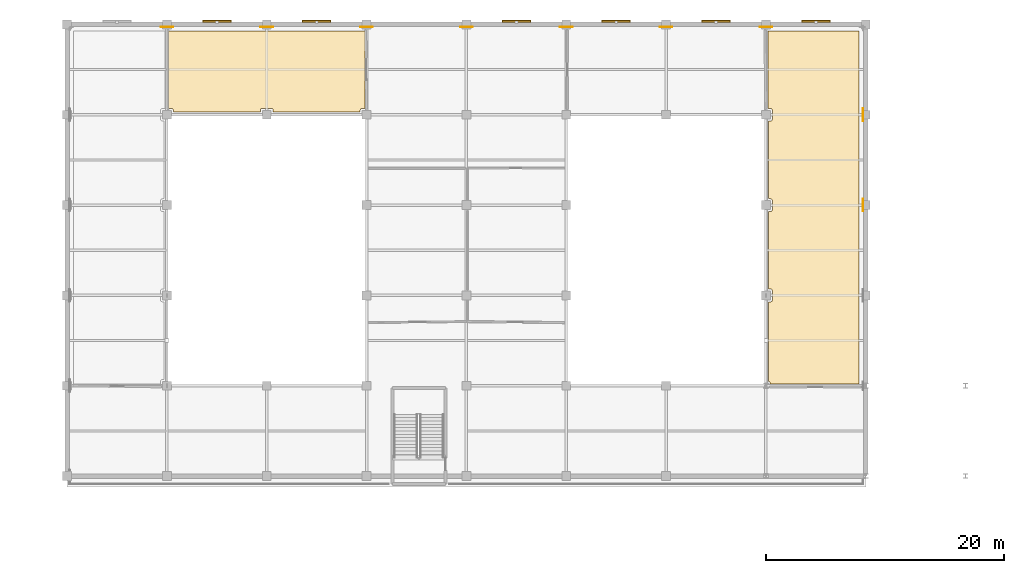
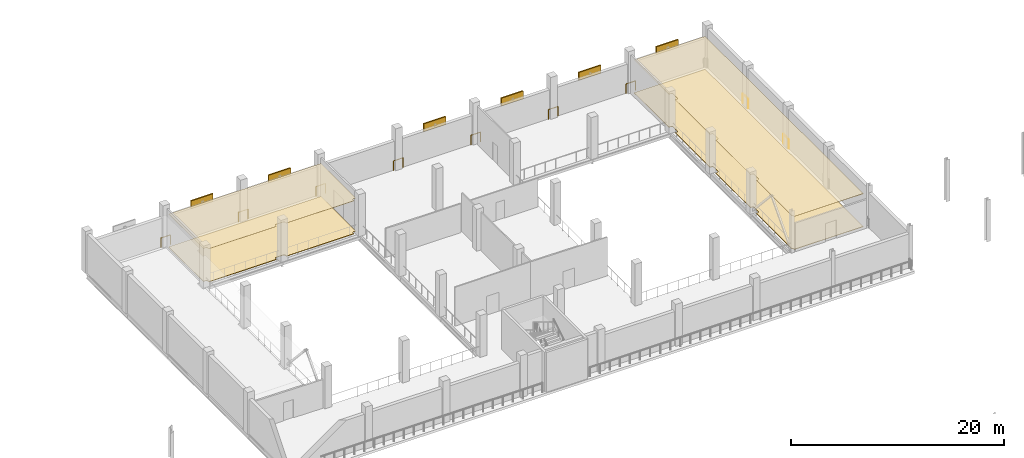
# One storey, part 48 of 51: 9 railings, 6 shading devices, 4 coverings.
"""IFC4 building model written with IfcOpenShell, lengths in metres."""

from ifc_helpers import new_model, si_unit, direction, frame, origin, origin_2d, place, context, subcontext, project, spatial, polyline, rectangle, circle, outline, extrude, material, layer, layer_set, type_object, element, save


model = new_model("IFC4")

# Units and contexts
model_context = context("Model", 3, precision=1e-05, world=origin(), true_north=direction((0.0, 1.0)))
body_context = subcontext(model_context, "Body", "Model", "MODEL_VIEW")
ifc_project = project(units=[si_unit("LENGTHUNIT", "METRE"), si_unit("AREAUNIT", "SQUARE_METRE"), si_unit("VOLUMEUNIT", "CUBIC_METRE"), si_unit("PLANEANGLEUNIT", "RADIAN"), si_unit("MASSUNIT", "GRAM", prefix="KILO")], contexts=[model_context])

# Site, building, storey
site_placement = place(None, origin())
site = spatial("IfcSite", under=ifc_project, at=site_placement, CompositionType="ELEMENT")
building_placement = place(site_placement, origin())
building = spatial("IfcBuilding", under=site, at=building_placement, Name="Zuvorla Pavilion Media Centre", CompositionType="ELEMENT")
storey_placement = place(building_placement, frame((0.0, 0.0, 4.800048828125)))
storey = spatial("IfcBuildingStorey", under=building, at=storey_placement, Name="L01", CompositionType="ELEMENT", Elevation=4.800048828125)

# Coverings
ifc_material_1 = material(Name="Perforated gypsum acoustic studio ceiling")
ifc_layer_1 = layer(ifc_material_1, 0.0400390625)
ifc_layer_set_1 = layer_set([ifc_layer_1], Name="Perforated gypsum acoustic studio ceiling")
covering_type_1 = type_object("IfcCoveringType", Name="COV-CLG-ACOUST", PredefinedType="CEILING", material=ifc_layer_set_1)
covering_1_placement = place(storey_placement, frame((0.0, 0.0, 3.780029296875)))
element("IfcCovering", 1, at=covering_1_placement, inside=storey, type_object=covering_type_1, Name="L01 acoustic ceiling 1", PredefinedType="CEILING", context=body_context, shape_type="SweptSolid", body=[
    extrude(outline(polyline([(91.85009765625, 112.93505859375), (91.614990234375, 112.93505859375), (91.600341796875, 112.934326171875), (91.585693359375, 112.93212890625), (91.571533203125, 112.928466796875), (91.5576171875, 112.923583984375), (91.544189453125, 112.917236328125), (91.53173828125, 112.90966796875), (91.519775390625, 112.90087890625), (91.5087890625, 112.89111328125), (91.4990234375, 112.880126953125), (91.490234375, 112.868408203125), (91.482666015625, 112.855712890625), (91.476318359375, 112.84228515625), (91.471435546875, 112.82861328125), (91.468017578125, 112.814208984375), (91.4658203125, 112.7998046875), (91.465087890625, 112.784912109375), (91.465087890625, 112.6298828125), (84.135009765625, 112.6298828125), (84.135009765625, 112.784912109375), (84.13427734375, 112.7998046875), (84.132080078125, 112.814208984375), (84.12841796875, 112.82861328125), (84.12353515625, 112.84228515625), (84.1171875, 112.855712890625), (84.109619140625, 112.868408203125), (84.10107421875, 112.880126953125), (84.091064453125, 112.89111328125), (84.080078125, 112.90087890625), (84.068359375, 112.90966796875), (84.0556640625, 112.917236328125), (84.04248046875, 112.923583984375), (84.028564453125, 112.928466796875), (84.014404296875, 112.93212890625), (83.999755859375, 112.934326171875), (83.985107421875, 112.93505859375), (83.215087890625, 112.93505859375), (83.2001953125, 112.934326171875), (83.185791015625, 112.93212890625), (83.17138671875, 112.928466796875), (83.15771484375, 112.923583984375), (83.144287109375, 112.917236328125), (83.131591796875, 112.90966796875), (83.119873046875, 112.90087890625), (83.10888671875, 112.89111328125), (83.09912109375, 112.880126953125), (83.09033203125, 112.868408203125), (83.082763671875, 112.855712890625), (83.076416015625, 112.84228515625), (83.071533203125, 112.82861328125), (83.06787109375, 112.814208984375), (83.065673828125, 112.7998046875), (83.06494140625, 112.784912109375), (83.06494140625, 112.6298828125), (75.735107421875, 112.6298828125), (75.735107421875, 112.784912109375), (75.734375, 112.7998046875), (75.732177734375, 112.814208984375), (75.728515625, 112.82861328125), (75.7236328125, 112.84228515625), (75.71728515625, 112.855712890625), (75.709716796875, 112.868408203125), (75.700927734375, 112.880126953125), (75.691162109375, 112.89111328125), (75.68017578125, 112.90087890625), (75.668212890625, 112.90966796875), (75.65576171875, 112.917236328125), (75.642333984375, 112.923583984375), (75.62841796875, 112.928466796875), (75.6142578125, 112.93212890625), (75.599609375, 112.934326171875), (75.5849609375, 112.93505859375), (75.35009765625, 112.93505859375), (75.35009765625, 119.449951171875), (91.85009765625, 119.449951171875), (91.85009765625, 112.93505859375)])), origin(), (0.0, 0.0, 1.0), 0.0400390625),
])
covering_2_placement = place(storey_placement, frame((0.0, 0.0, 3.780029296875)))
element("IfcCovering", 2, at=covering_2_placement, inside=storey, type_object=covering_type_1, Name="L01 acoustic ceiling 3", PredefinedType="CEILING", context=body_context, shape_type="SweptSolid", body=[
    extrude(outline(polyline([(125.830078125, 89.955078125), (125.830078125, 96.6650390625), (125.985107421875, 96.6650390625), (125.999755859375, 96.665771484375), (126.014404296875, 96.66796875), (126.028564453125, 96.67138671875), (126.04248046875, 96.676513671875), (126.0556640625, 96.6826171875), (126.068359375, 96.690185546875), (126.080078125, 96.698974609375), (126.091064453125, 96.708984375), (126.10107421875, 96.7197265625), (126.109619140625, 96.731689453125), (126.1171875, 96.744384765625), (126.12353515625, 96.757568359375), (126.12841796875, 96.771484375), (126.132080078125, 96.78564453125), (126.13427734375, 96.80029296875), (126.135009765625, 96.81494140625), (126.135009765625, 97.5849609375), (126.13427734375, 97.599609375), (126.132080078125, 97.6142578125), (126.12841796875, 97.62841796875), (126.12353515625, 97.642333984375), (126.1171875, 97.65576171875), (126.109619140625, 97.668212890625), (126.10107421875, 97.68017578125), (126.091064453125, 97.691162109375), (126.080078125, 97.700927734375), (126.068359375, 97.709716796875), (126.0556640625, 97.71728515625), (126.04248046875, 97.7236328125), (126.028564453125, 97.728515625), (126.014404296875, 97.732177734375), (125.999755859375, 97.734375), (125.985107421875, 97.735107421875), (125.830078125, 97.735107421875), (125.830078125, 104.264892578125), (125.985107421875, 104.264892578125), (125.999755859375, 104.265625), (126.014404296875, 104.267822265625), (126.028564453125, 104.271484375), (126.04248046875, 104.2763671875), (126.0556640625, 104.28271484375), (126.068359375, 104.290283203125), (126.080078125, 104.299072265625), (126.091064453125, 104.308837890625), (126.10107421875, 104.31982421875), (126.109619140625, 104.331787109375), (126.1171875, 104.34423828125), (126.12353515625, 104.357666015625), (126.12841796875, 104.37158203125), (126.132080078125, 104.3857421875), (126.13427734375, 104.400390625), (126.135009765625, 104.4150390625), (126.135009765625, 105.18505859375), (126.13427734375, 105.19970703125), (126.132080078125, 105.21435546875), (126.12841796875, 105.228515625), (126.12353515625, 105.242431640625), (126.1171875, 105.255615234375), (126.109619140625, 105.268310546875), (126.10107421875, 105.2802734375), (126.091064453125, 105.291015625), (126.080078125, 105.301025390625), (126.068359375, 105.309814453125), (126.0556640625, 105.3173828125), (126.04248046875, 105.323486328125), (126.028564453125, 105.32861328125), (126.014404296875, 105.33203125), (125.999755859375, 105.334228515625), (125.985107421875, 105.3349609375), (125.830078125, 105.3349609375), (125.830078125, 111.864990234375), (125.985107421875, 111.864990234375), (125.999755859375, 111.86572265625), (126.014404296875, 111.867919921875), (126.028564453125, 111.87158203125), (126.04248046875, 111.87646484375), (126.0556640625, 111.8828125), (126.068359375, 111.890380859375), (126.080078125, 111.89892578125), (126.091064453125, 111.908935546875), (126.10107421875, 111.919921875), (126.109619140625, 111.931640625), (126.1171875, 111.9443359375), (126.12353515625, 111.95751953125), (126.12841796875, 111.971435546875), (126.132080078125, 111.985595703125), (126.13427734375, 112.000244140625), (126.135009765625, 112.014892578125), (126.135009765625, 112.784912109375), (126.13427734375, 112.7998046875), (126.132080078125, 112.814208984375), (126.12841796875, 112.82861328125), (126.12353515625, 112.84228515625), (126.1171875, 112.855712890625), (126.109619140625, 112.868408203125), (126.10107421875, 112.880126953125), (126.091064453125, 112.89111328125), (126.080078125, 112.90087890625), (126.068359375, 112.90966796875), (126.0556640625, 112.917236328125), (126.04248046875, 112.923583984375), (126.028564453125, 112.928466796875), (126.014404296875, 112.93212890625), (125.999755859375, 112.934326171875), (125.985107421875, 112.93505859375), (125.760009765625, 112.93505859375), (125.760009765625, 119.449951171875), (133.449951171875, 119.449951171875), (133.449951171875, 89.760009765625), (125.95947265625, 89.760009765625), (125.95947265625, 89.806884765625), (125.958740234375, 89.821533203125), (125.95654296875, 89.836181640625), (125.952880859375, 89.850341796875), (125.947998046875, 89.8642578125), (125.94189453125, 89.87744140625), (125.93408203125, 89.89013671875), (125.925537109375, 89.902099609375), (125.91552734375, 89.912841796875), (125.90478515625, 89.9228515625), (125.892822265625, 89.931396484375), (125.880126953125, 89.939208984375), (125.866943359375, 89.9453125), (125.85302734375, 89.9501953125), (125.8388671875, 89.953857421875), (125.830078125, 89.955078125)])), origin(), (0.0, 0.0, 1.0), 0.0400390625),
])
ifc_material_2 = material(Name="Floating resilient acoustic hardwood studio floor", Category="wood")
ifc_layer_2 = layer(ifc_material_2, 0.050048828125)
ifc_layer_set_2 = layer_set([ifc_layer_2], Name="Floating resilient acoustic hardwood studio floor")
covering_type_2 = type_object("IfcCoveringType", Name="COV-FLR-ACOUST", PredefinedType="FLOORING", material=ifc_layer_set_2)
covering_3_placement = place(storey_placement, origin())
element("IfcCovering", 3, at=covering_3_placement, inside=storey, type_object=covering_type_2, Name="L01 acoustic studio floor 5", PredefinedType="FLOORING", context=body_context, shape_type="SweptSolid", body=[
    extrude(outline(polyline([(91.85009765625, 112.93505859375), (91.614990234375, 112.93505859375), (91.600341796875, 112.934326171875), (91.585693359375, 112.93212890625), (91.571533203125, 112.928466796875), (91.5576171875, 112.923583984375), (91.544189453125, 112.917236328125), (91.53173828125, 112.90966796875), (91.519775390625, 112.90087890625), (91.5087890625, 112.89111328125), (91.4990234375, 112.880126953125), (91.490234375, 112.868408203125), (91.482666015625, 112.855712890625), (91.476318359375, 112.84228515625), (91.471435546875, 112.82861328125), (91.468017578125, 112.814208984375), (91.4658203125, 112.7998046875), (91.465087890625, 112.784912109375), (91.465087890625, 112.6298828125), (84.135009765625, 112.6298828125), (84.135009765625, 112.784912109375), (84.13427734375, 112.7998046875), (84.132080078125, 112.814208984375), (84.12841796875, 112.82861328125), (84.12353515625, 112.84228515625), (84.1171875, 112.855712890625), (84.109619140625, 112.868408203125), (84.10107421875, 112.880126953125), (84.091064453125, 112.89111328125), (84.080078125, 112.90087890625), (84.068359375, 112.90966796875), (84.0556640625, 112.917236328125), (84.04248046875, 112.923583984375), (84.028564453125, 112.928466796875), (84.014404296875, 112.93212890625), (83.999755859375, 112.934326171875), (83.985107421875, 112.93505859375), (83.215087890625, 112.93505859375), (83.2001953125, 112.934326171875), (83.185791015625, 112.93212890625), (83.17138671875, 112.928466796875), (83.15771484375, 112.923583984375), (83.144287109375, 112.917236328125), (83.131591796875, 112.90966796875), (83.119873046875, 112.90087890625), (83.10888671875, 112.89111328125), (83.09912109375, 112.880126953125), (83.09033203125, 112.868408203125), (83.082763671875, 112.855712890625), (83.076416015625, 112.84228515625), (83.071533203125, 112.82861328125), (83.06787109375, 112.814208984375), (83.065673828125, 112.7998046875), (83.06494140625, 112.784912109375), (83.06494140625, 112.6298828125), (75.735107421875, 112.6298828125), (75.735107421875, 112.784912109375), (75.734375, 112.7998046875), (75.732177734375, 112.814208984375), (75.728515625, 112.82861328125), (75.7236328125, 112.84228515625), (75.71728515625, 112.855712890625), (75.709716796875, 112.868408203125), (75.700927734375, 112.880126953125), (75.691162109375, 112.89111328125), (75.68017578125, 112.90087890625), (75.668212890625, 112.90966796875), (75.65576171875, 112.917236328125), (75.642333984375, 112.923583984375), (75.62841796875, 112.928466796875), (75.6142578125, 112.93212890625), (75.599609375, 112.934326171875), (75.5849609375, 112.93505859375), (75.35009765625, 112.93505859375), (75.35009765625, 119.449951171875), (91.85009765625, 119.449951171875), (91.85009765625, 112.93505859375)])), origin(), (0.0, 0.0, 1.0), 0.050048828125),
])
covering_4_placement = place(storey_placement, origin())
element("IfcCovering", 4, at=covering_4_placement, inside=storey, type_object=covering_type_2, Name="L01 acoustic studio floor 7", PredefinedType="FLOORING", context=body_context, shape_type="SweptSolid", body=[
    extrude(outline(polyline([(125.830078125, 89.955078125), (125.830078125, 96.6650390625), (125.985107421875, 96.6650390625), (125.999755859375, 96.665771484375), (126.014404296875, 96.66796875), (126.028564453125, 96.67138671875), (126.04248046875, 96.676513671875), (126.0556640625, 96.6826171875), (126.068359375, 96.690185546875), (126.080078125, 96.698974609375), (126.091064453125, 96.708984375), (126.10107421875, 96.7197265625), (126.109619140625, 96.731689453125), (126.1171875, 96.744384765625), (126.12353515625, 96.757568359375), (126.12841796875, 96.771484375), (126.132080078125, 96.78564453125), (126.13427734375, 96.80029296875), (126.135009765625, 96.81494140625), (126.135009765625, 97.5849609375), (126.13427734375, 97.599609375), (126.132080078125, 97.6142578125), (126.12841796875, 97.62841796875), (126.12353515625, 97.642333984375), (126.1171875, 97.65576171875), (126.109619140625, 97.668212890625), (126.10107421875, 97.68017578125), (126.091064453125, 97.691162109375), (126.080078125, 97.700927734375), (126.068359375, 97.709716796875), (126.0556640625, 97.71728515625), (126.04248046875, 97.7236328125), (126.028564453125, 97.728515625), (126.014404296875, 97.732177734375), (125.999755859375, 97.734375), (125.985107421875, 97.735107421875), (125.830078125, 97.735107421875), (125.830078125, 104.264892578125), (125.985107421875, 104.264892578125), (125.999755859375, 104.265625), (126.014404296875, 104.267822265625), (126.028564453125, 104.271484375), (126.04248046875, 104.2763671875), (126.0556640625, 104.28271484375), (126.068359375, 104.290283203125), (126.080078125, 104.299072265625), (126.091064453125, 104.308837890625), (126.10107421875, 104.31982421875), (126.109619140625, 104.331787109375), (126.1171875, 104.34423828125), (126.12353515625, 104.357666015625), (126.12841796875, 104.37158203125), (126.132080078125, 104.3857421875), (126.13427734375, 104.400390625), (126.135009765625, 104.4150390625), (126.135009765625, 105.18505859375), (126.13427734375, 105.19970703125), (126.132080078125, 105.21435546875), (126.12841796875, 105.228515625), (126.12353515625, 105.242431640625), (126.1171875, 105.255615234375), (126.109619140625, 105.268310546875), (126.10107421875, 105.2802734375), (126.091064453125, 105.291015625), (126.080078125, 105.301025390625), (126.068359375, 105.309814453125), (126.0556640625, 105.3173828125), (126.04248046875, 105.323486328125), (126.028564453125, 105.32861328125), (126.014404296875, 105.33203125), (125.999755859375, 105.334228515625), (125.985107421875, 105.3349609375), (125.830078125, 105.3349609375), (125.830078125, 111.864990234375), (125.985107421875, 111.864990234375), (125.999755859375, 111.86572265625), (126.014404296875, 111.867919921875), (126.028564453125, 111.87158203125), (126.04248046875, 111.87646484375), (126.0556640625, 111.8828125), (126.068359375, 111.890380859375), (126.080078125, 111.89892578125), (126.091064453125, 111.908935546875), (126.10107421875, 111.919921875), (126.109619140625, 111.931640625), (126.1171875, 111.9443359375), (126.12353515625, 111.95751953125), (126.12841796875, 111.971435546875), (126.132080078125, 111.985595703125), (126.13427734375, 112.000244140625), (126.135009765625, 112.014892578125), (126.135009765625, 112.784912109375), (126.13427734375, 112.7998046875), (126.132080078125, 112.814208984375), (126.12841796875, 112.82861328125), (126.12353515625, 112.84228515625), (126.1171875, 112.855712890625), (126.109619140625, 112.868408203125), (126.10107421875, 112.880126953125), (126.091064453125, 112.89111328125), (126.080078125, 112.90087890625), (126.068359375, 112.90966796875), (126.0556640625, 112.917236328125), (126.04248046875, 112.923583984375), (126.028564453125, 112.928466796875), (126.014404296875, 112.93212890625), (125.999755859375, 112.934326171875), (125.985107421875, 112.93505859375), (125.760009765625, 112.93505859375), (125.760009765625, 119.449951171875), (133.449951171875, 119.449951171875), (133.449951171875, 89.760009765625), (125.95947265625, 89.760009765625), (125.95947265625, 89.806884765625), (125.958740234375, 89.821533203125), (125.95654296875, 89.836181640625), (125.952880859375, 89.850341796875), (125.947998046875, 89.8642578125), (125.94189453125, 89.87744140625), (125.93408203125, 89.89013671875), (125.925537109375, 89.902099609375), (125.91552734375, 89.912841796875), (125.90478515625, 89.9228515625), (125.892822265625, 89.931396484375), (125.880126953125, 89.939208984375), (125.866943359375, 89.9453125), (125.85302734375, 89.9501953125), (125.8388671875, 89.953857421875), (125.830078125, 89.955078125)])), origin(), (0.0, 0.0, 1.0), 0.050048828125),
])

# Railings
ifc_material_3 = material(Name="Powder-coated steel balustrade guard", Category="steel")
railing_type = type_object("IfcRailingType", Name="RL-INT-GRD", PredefinedType="BALUSTRADE", material=ifc_material_3)
for number, where, name in (
    (5, (133.780029296875, 112.9150390625, 0.0), "L01 slab edge guard 40"),
    (6, (133.780029296875, 105.31494140625, 0.0), "L01 slab edge guard 41"),
):
    element("IfcRailing", number, at=place(storey_placement, frame(where)), inside=storey, type_object=railing_type, Name=name, PredefinedType="BALUSTRADE", context=body_context, shape_type="SweptSolid", body=[
        extrude(circle(Radius=0.02392578125, at=origin_2d()), frame((0.0, -0.02880859375, 1.09619140625), z_axis=(0.0, -1.0, 0.0), x_axis=(1.0, 0.0, 0.0)), (0.0, 0.0, 1.0), 0.972412109375),
        extrude(circle(Radius=0.02099609375, at=origin_2d()), origin(), (0.0, 0.0, 1.0), 1.070068359375),
        extrude(circle(Radius=0.02099609375, at=origin_2d()), frame((0.0, -1.030029296875, 0.0)), (0.0, 0.0, 1.0), 1.070068359375),
    ])
for number, where, name in (
    (7, (74.68505859375, 119.780029296875, 0.0), "L01 slab edge guard 51"),
    (8, (83.0849609375, 119.780029296875, 0.0), "L01 slab edge guard 52"),
):
    element("IfcRailing", number, at=place(storey_placement, frame(where)), inside=storey, type_object=railing_type, Name=name, PredefinedType="BALUSTRADE", context=body_context, shape_type="SweptSolid", body=[
        extrude(circle(Radius=0.02392578125, at=origin_2d()), frame((0.02880859375, 0.0, 1.09619140625), z_axis=(1.0, 0.0, 0.0), x_axis=(0.0, 1.0, 0.0)), (0.0, 0.0, 1.0), 0.972412109375),
        extrude(circle(Radius=0.02099609375, at=origin_2d()), origin(), (0.0, 0.0, 1.0), 1.070068359375),
        extrude(circle(Radius=0.02099609375, at=origin_2d()), frame((1.030029296875, 0.0, 0.0)), (0.0, 0.0, 1.0), 1.070068359375),
    ])
railing_placement = place(storey_placement, frame((91.485107421875, 119.780029296875, 0.0)))
element("IfcRailing", 9, at=railing_placement, inside=storey, type_object=railing_type, Name="L01 slab edge guard 53", PredefinedType="BALUSTRADE", context=body_context, shape_type="SweptSolid", body=[
    extrude(circle(Radius=0.02392578125, at=origin_2d()), frame((0.02880859375, 0.0, 1.09619140625), z_axis=(1.0, 0.0, 0.0), x_axis=(0.0, 1.0, 0.0)), (0.0, 0.0, 1.0), 0.97216796875),
    extrude(circle(Radius=0.02099609375, at=origin_2d()), origin(), (0.0, 0.0, 1.0), 1.070068359375),
    extrude(circle(Radius=0.02099609375, at=origin_2d()), frame((1.02978515625, 0.0, 0.0)), (0.0, 0.0, 1.0), 1.070068359375),
])
for number, where, name in (
    (10, (99.885009765625, 119.780029296875, 0.0), "L01 slab edge guard 54"),
    (11, (108.284912109375, 119.780029296875, 0.0), "L01 slab edge guard 55"),
    (12, (116.68505859375, 119.780029296875, 0.0), "L01 slab edge guard 56"),
    (13, (125.0849609375, 119.780029296875, 0.0), "L01 slab edge guard 57"),
):
    element("IfcRailing", number, at=place(storey_placement, frame(where)), inside=storey, type_object=railing_type, Name=name, PredefinedType="BALUSTRADE", context=body_context, shape_type="SweptSolid", body=[
        extrude(circle(Radius=0.02392578125, at=origin_2d()), frame((0.02880859375, 0.0, 1.09619140625), z_axis=(1.0, 0.0, 0.0), x_axis=(0.0, 1.0, 0.0)), (0.0, 0.0, 1.0), 0.972412109375),
        extrude(circle(Radius=0.02099609375, at=origin_2d()), origin(), (0.0, 0.0, 1.0), 1.070068359375),
        extrude(circle(Radius=0.02099609375, at=origin_2d()), frame((1.030029296875, 0.0, 0.0)), (0.0, 0.0, 1.0), 1.070068359375),
    ])

# Shading devices
ifc_material_4 = material(Name="Anodised aluminium acoustic weather louvre", Category="aluminium")
shading_device_type = type_object("IfcShadingDeviceType", Name="SHD-LVR-ALU", PredefinedType="USERDEFINED", material=ifc_material_4)
for number, where, z_axis, x_axis, name in (
    (14, (79.39990234375, 120.260009765625, 2.949951171875), (0.0, 0.0, 1.0), (1.0, 0.0, 0.0), "L01 acoustic plant louvre 2"),
    (15, (87.800048828125, 120.260009765625, 2.949951171875), (0.0, 0.0, 1.0), (1.0, 0.0, 0.0), "L01 acoustic plant louvre 3"),
    (16, (104.60009765625, 120.260009765625, 2.949951171875), (0.0, 0.0, 1.0), (1.0, 0.0, 0.0), "L01 acoustic plant louvre 4"),
    (17, (113.0, 120.260009765625, 2.949951171875), (0.0, 0.0, 1.0), (1.0, 0.0, 0.0), "L01 acoustic plant louvre 5"),
    (18, (121.39990234375, 120.260009765625, 2.949951171875), (0.0, 0.0, 1.0), (1.0, 0.0, 0.0), "L01 acoustic plant louvre 6"),
    (19, (129.800048828125, 120.260009765625, 2.949951171875), (0.0, 0.0, 1.0), (1.0, 0.0, 0.0), "L01 acoustic plant louvre 7"),
):
    element("IfcShadingDevice", number, at=place(storey_placement, frame(where, z_axis=z_axis, x_axis=x_axis)), inside=storey, type_object=shading_device_type, Name=name, ObjectType="LOUVRE", PredefinedType="USERDEFINED", context=body_context, shape_type="SweptSolid", body=[
        extrude(rectangle(XDim=2.39990234375, YDim=0.14990234375, at=origin_2d()), origin(), (0.0, 0.0, 1.0), 0.89990234375),
    ])

save(model, "model.ifc")
